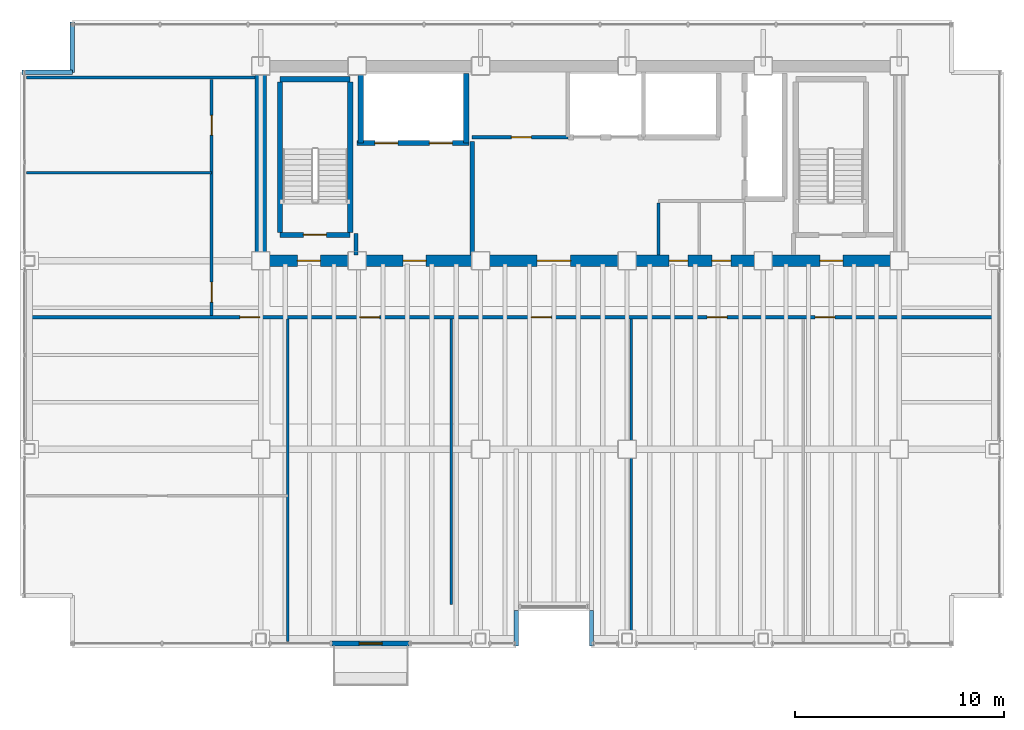
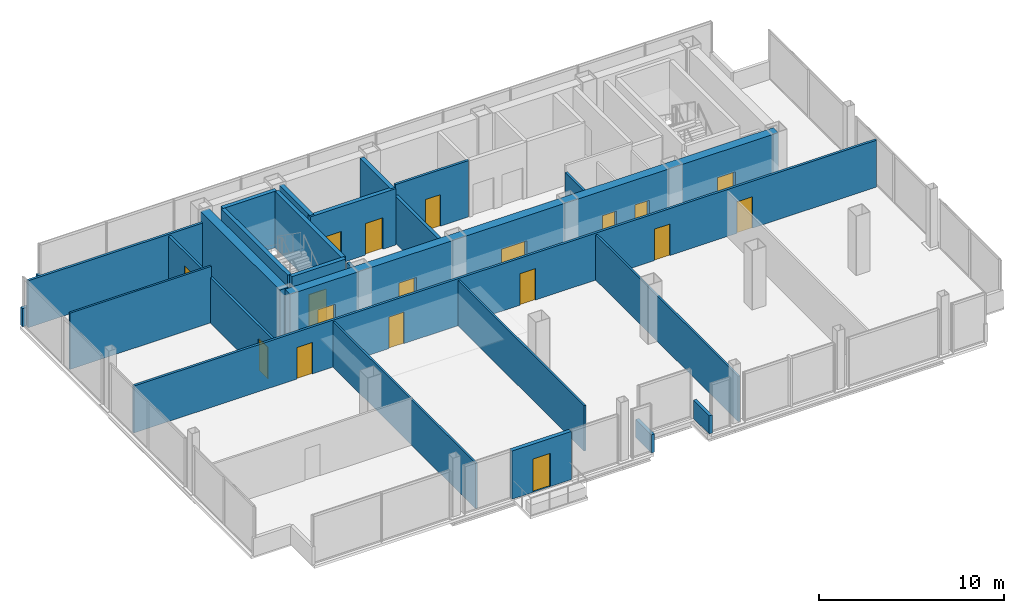
# One storey, part 18 of 20: 25 walls, 18 doors, 18 openings.
"""IFC4 building model written with IfcOpenShell, lengths in metres."""

from ifc_helpers import new_model, si_unit, direction, frame, frame_2d, origin, place, context, subcontext, project, spatial, rectangle, extrude, material, layer, layer_set, type_object, element, fill, save


model = new_model("IFC4")

# Units and contexts
model_context = context("Model", 3, precision=1e-05, world=origin(), true_north=direction((0.0, 1.0)))
body_context = subcontext(model_context, "Body", "Model", "MODEL_VIEW")
ifc_project = project(units=[si_unit("LENGTHUNIT", "METRE"), si_unit("AREAUNIT", "SQUARE_METRE"), si_unit("VOLUMEUNIT", "CUBIC_METRE"), si_unit("PLANEANGLEUNIT", "RADIAN"), si_unit("MASSUNIT", "GRAM", prefix="KILO")], contexts=[model_context])

# Site, building, storey
site_placement = place(None, origin())
site = spatial("IfcSite", under=ifc_project, at=site_placement, CompositionType="ELEMENT")
building_placement = place(site_placement, origin())
building = spatial("IfcBuilding", under=site, at=building_placement, Name="Noeulbin Bourse Tower", CompositionType="ELEMENT")
storey_placement = place(building_placement, frame((0.0, 0.0, 118.800048828125)))
storey = spatial("IfcBuildingStorey", under=building, at=storey_placement, Name="L29", CompositionType="ELEMENT", Elevation=118.800048828125)

# Wall, openings, doors
ifc_material_1 = material(Name="Concrete C60/75", Category="concrete")
ifc_layer_1 = layer(ifc_material_1, 0.550048828125)
ifc_layer_set_1 = layer_set([ifc_layer_1], Name="Concrete C60/75")
wall_type_1 = type_object("IfcWallType", Name="WAL-CORE-550", PredefinedType="SHEAR", material=ifc_layer_set_1)
wall_1_placement = place(storey_placement, frame((13.5, 29.0, 0.0), z_axis=(0.0, 0.0, 1.0), x_axis=(1.0, 0.0, 0.0)))
wall_1 = element("IfcWall", 1, at=wall_1_placement, inside=storey, type_object=wall_type_1, Name="Rear Core South Shear Wall L29", PredefinedType="SHEAR", context=body_context, shape_type="SweptSolid", body=[
    extrude(rectangle(XDim=30.5, YDim=0.550048828125, at=frame_2d((15.25, 0.0))), origin(), (0.0, 0.0, 1.0), 3.719970703125),
])
opening_1_placement = place(wall_1_placement, frame((1.75, 0.0, 0.0)))
opening_1 = element("IfcOpeningElement", 2, at=opening_1_placement, cuts=wall_1, Name="Opening FD-11", PredefinedType="OPENING", context=body_context, shape_type="SweptSolid", body=[
    extrude(rectangle(XDim=1.10009765625, YDim=2.080078125, at=frame_2d((0.550048828125, 1.0400390625))), frame((0.0, 0.284912109375, 0.0), z_axis=(0.0, -1.0, 0.0), x_axis=(1.0, 0.0, 0.0)), (0.0, 0.0, 1.0), 0.570068359375),
])
opening_2_placement = place(wall_1_placement, frame((26.699951171875, 0.0, 0.0)))
opening_2 = element("IfcOpeningElement", 3, at=opening_2_placement, cuts=wall_1, Name="Opening FD-11", PredefinedType="OPENING", context=body_context, shape_type="SweptSolid", body=[
    extrude(rectangle(XDim=1.10009765625, YDim=2.080078125, at=frame_2d((0.550048828125, 1.0400390625))), frame((0.0, 0.284912109375, 0.0), z_axis=(0.0, -1.0, 0.0), x_axis=(1.0, 0.0, 0.0)), (0.0, 0.0, 1.0), 0.570068359375),
])
opening_3_placement = place(wall_1_placement, frame((6.800048828125, 0.0, 0.0)))
opening_3 = element("IfcOpeningElement", 4, at=opening_3_placement, cuts=wall_1, Name="Opening FD-11", PredefinedType="OPENING", context=body_context, shape_type="SweptSolid", body=[
    extrude(rectangle(XDim=1.10009765625, YDim=2.080078125, at=frame_2d((0.550048828125, 1.0400390625))), frame((0.0, 0.284912109375, 0.0), z_axis=(0.0, -1.0, 0.0), x_axis=(1.0, 0.0, 0.0)), (0.0, 0.0, 1.0), 0.570068359375),
])
opening_4_placement = place(wall_1_placement, frame((13.199951171875, 0.0, 0.0)))
opening_4 = element("IfcOpeningElement", 5, at=opening_4_placement, cuts=wall_1, Name="Opening ID-16", PredefinedType="OPENING", context=body_context, shape_type="SweptSolid", body=[
    extrude(rectangle(XDim=1.60009765625, YDim=2.080078125, at=frame_2d((0.800048828125, 1.0400390625))), frame((0.0, 0.284912109375, 0.0), z_axis=(0.0, -1.0, 0.0), x_axis=(1.0, 0.0, 0.0)), (0.0, 0.0, 1.0), 0.570068359375),
])
opening_5_placement = place(wall_1_placement, frame((19.5, 0.0, 0.0)))
opening_5 = element("IfcOpeningElement", 6, at=opening_5_placement, cuts=wall_1, Name="Opening FD-09", PredefinedType="OPENING", context=body_context, shape_type="SweptSolid", body=[
    extrude(rectangle(XDim=0.89990234375, YDim=2.080078125, at=frame_2d((0.449951171875, 1.0400390625))), frame((0.0, 0.284912109375, 0.0), z_axis=(0.0, -1.0, 0.0), x_axis=(1.0, 0.0, 0.0)), (0.0, 0.0, 1.0), 0.570068359375),
])
opening_6_placement = place(wall_1_placement, frame((21.550048828125, 0.0, 0.0)))
opening_6 = element("IfcOpeningElement", 7, at=opening_6_placement, cuts=wall_1, Name="Opening FD-09", PredefinedType="OPENING", context=body_context, shape_type="SweptSolid", body=[
    extrude(rectangle(XDim=0.89990234375, YDim=2.080078125, at=frame_2d((0.449951171875, 1.0400390625))), frame((0.0, 0.284912109375, 0.0), z_axis=(0.0, -1.0, 0.0), x_axis=(1.0, 0.0, 0.0)), (0.0, 0.0, 1.0), 0.570068359375),
])
ifc_material_2 = material(Name="Acoustic Glazed Aluminium", Category="aluminium")
door_type_1 = type_object("IfcDoorType", Name="DR-DBL-1600", OperationType="DOUBLE_DOOR_SINGLE_SWING", PredefinedType="DOOR", material=ifc_material_2)
door_1_placement = place(opening_4_placement, origin())
door_1 = element("IfcDoor", 8, at=door_1_placement, inside=storey, type_object=door_type_1, Name="Passenger Lift Lobby Portal L29", OperationType="DOUBLE_DOOR_SINGLE_SWING", OverallHeight=2.080078125, OverallWidth=1.60009765625, PredefinedType="DOOR", context=body_context, shape_type="SweptSolid", body=[
    extrude(rectangle(XDim=1.60009765625, YDim=2.080078125, at=frame_2d((0.800048828125, 1.0400390625))), frame((0.0, 0.02490234375, 0.0), z_axis=(0.0, -1.0, 0.0), x_axis=(1.0, 0.0, 0.0)), (0.0, 0.0, 1.0), 0.050048828125),
])
fill(opening_4, door_1)
ifc_material_3 = material(Name="Fire-Rated Timber Core", Category="wood")
door_type_2 = type_object("IfcDoorType", Name="DR-FD30-900", OperationType="SINGLE_SWING_RIGHT", PredefinedType="DOOR", material=ifc_material_3)
door_2_placement = place(opening_5_placement, origin())
door_2 = element("IfcDoor", 9, at=door_2_placement, inside=storey, type_object=door_type_2, Name="Interior Door L29-06", OperationType="SINGLE_SWING_LEFT", OverallHeight=2.080078125, OverallWidth=0.89990234375, PredefinedType="DOOR", context=body_context, shape_type="SweptSolid", body=[
    extrude(rectangle(XDim=0.89990234375, YDim=2.080078125, at=frame_2d((0.449951171875, 1.0400390625))), frame((0.0, 0.02490234375, 0.0), z_axis=(0.0, -1.0, 0.0), x_axis=(1.0, 0.0, 0.0)), (0.0, 0.0, 1.0), 0.050048828125),
])
fill(opening_5, door_2)
door_3_placement = place(opening_6_placement, origin())
door_3 = element("IfcDoor", 10, at=door_3_placement, inside=storey, type_object=door_type_2, Name="Interior Door L29-07", OperationType="SINGLE_SWING_RIGHT", OverallHeight=2.080078125, OverallWidth=0.89990234375, PredefinedType="DOOR", context=body_context, shape_type="SweptSolid", body=[
    extrude(rectangle(XDim=0.89990234375, YDim=2.080078125, at=frame_2d((0.449951171875, 1.0400390625))), frame((0.0, 0.02490234375, 0.0), z_axis=(0.0, -1.0, 0.0), x_axis=(1.0, 0.0, 0.0)), (0.0, 0.0, 1.0), 0.050048828125),
])
fill(opening_6, door_3)
ifc_material_4 = material(Name="Fire-Rated Insulated Steel", Category="steel")
door_type_3 = type_object("IfcDoorType", Name="DR-FD60-1100", OperationType="SINGLE_SWING_LEFT", PredefinedType="DOOR", material=ifc_material_4)
door_4_placement = place(opening_1_placement, origin())
door_4 = element("IfcDoor", 11, at=door_4_placement, inside=storey, type_object=door_type_3, Name="West Stair Lobby Door L29", OperationType="SINGLE_SWING_RIGHT", OverallHeight=2.080078125, OverallWidth=1.10009765625, PredefinedType="DOOR", context=body_context, shape_type="SweptSolid", body=[
    extrude(rectangle(XDim=1.10009765625, YDim=2.080078125, at=frame_2d((0.550048828125, 1.0400390625))), frame((0.0, 0.02490234375, 0.0), z_axis=(0.0, -1.0, 0.0), x_axis=(1.0, 0.0, 0.0)), (0.0, 0.0, 1.0), 0.050048828125),
])
fill(opening_1, door_4)
door_5_placement = place(opening_2_placement, origin())
door_5 = element("IfcDoor", 12, at=door_5_placement, inside=storey, type_object=door_type_3, Name="East Stair Lobby Door L29", OperationType="SINGLE_SWING_LEFT", OverallHeight=2.080078125, OverallWidth=1.10009765625, PredefinedType="DOOR", context=body_context, shape_type="SweptSolid", body=[
    extrude(rectangle(XDim=1.10009765625, YDim=2.080078125, at=frame_2d((0.550048828125, 1.0400390625))), frame((0.0, 0.02490234375, 0.0), z_axis=(0.0, -1.0, 0.0), x_axis=(1.0, 0.0, 0.0)), (0.0, 0.0, 1.0), 0.050048828125),
])
fill(opening_2, door_5)
door_6_placement = place(opening_3_placement, origin())
door_6 = element("IfcDoor", 13, at=door_6_placement, inside=storey, type_object=door_type_3, Name="Firefighting Lobby Door L29", OperationType="SINGLE_SWING_RIGHT", OverallHeight=2.080078125, OverallWidth=1.10009765625, PredefinedType="DOOR", context=body_context, shape_type="SweptSolid", body=[
    extrude(rectangle(XDim=1.10009765625, YDim=2.080078125, at=frame_2d((0.550048828125, 1.0400390625))), frame((0.0, 0.02490234375, 0.0), z_axis=(0.0, -1.0, 0.0), x_axis=(1.0, 0.0, 0.0)), (0.0, 0.0, 1.0), 0.050048828125),
])
fill(opening_3, door_6)

# Wall
wall_2_placement = place(storey_placement, frame((13.5, 29.35009765625, 0.0), z_axis=(0.0, 0.0, 1.0), x_axis=(0.0, 1.0, 0.0)))
element("IfcWall", 14, at=wall_2_placement, inside=storey, type_object=wall_type_1, Name="Rear Core West Shear Wall L29", PredefinedType="SHEAR", context=body_context, shape_type="SweptSolid", body=[
    extrude(rectangle(XDim=8.599853515625, YDim=0.550048828125, at=frame_2d((4.2998046875, 0.0))), origin(), (0.0, 0.0, 1.0), 3.719970703125),
])

# Wall, opening, door
ifc_material_5 = material(Name="Precast Concrete C40/50", Category="concrete")
ifc_layer_2 = layer(ifc_material_5, 0.25)
ifc_layer_set_2 = layer_set([ifc_layer_2], Name="Precast Concrete C40/50")
wall_type_2 = type_object("IfcWallType", Name="WAL-EXT-250", PredefinedType="STANDARD", material=ifc_layer_set_2)
wall_3_placement = place(storey_placement, frame((16.89990234375, 10.719970703125, 0.0), z_axis=(0.0, 0.0, 1.0), x_axis=(1.0, 0.0, 0.0)))
wall_3 = element("IfcWall", 15, at=wall_3_placement, inside=storey, type_object=wall_type_2, Name="Balcony Threshold Wall L29", PredefinedType="STANDARD", context=body_context, shape_type="SweptSolid", body=[
    extrude(rectangle(XDim=3.7001953125, YDim=0.25, at=frame_2d((1.85009765625, 0.0))), origin(), (0.0, 0.0, 1.0), 3.179931640625),
])
opening_7_placement = place(wall_3_placement, frame((1.300048828125, 0.0, 0.0)))
opening_7 = element("IfcOpeningElement", 16, at=opening_7_placement, cuts=wall_3, Name="Opening BD-11", PredefinedType="OPENING", context=body_context, shape_type="SweptSolid", body=[
    extrude(rectangle(XDim=1.10009765625, YDim=2.199951171875, at=frame_2d((0.550048828125, 1.10009765625))), frame((0.0, 0.135009765625, 0.0), z_axis=(0.0, -1.0, 0.0), x_axis=(1.0, 0.0, 0.0)), (0.0, 0.0, 1.0), 0.27001953125),
])
ifc_material_6 = material(Name="Thermally Broken Aluminium Framed Glass", Category="aluminium")
door_type_4 = type_object("IfcDoorType", Name="DR-BAL-1100", OperationType="SINGLE_SWING_LEFT", PredefinedType="DOOR", material=ifc_material_6)
door_7_placement = place(opening_7_placement, origin())
door_7 = element("IfcDoor", 17, at=door_7_placement, inside=storey, type_object=door_type_4, Name="Tree-Balcony Access Door BD-L29", OperationType="SINGLE_SWING_LEFT", OverallHeight=2.199951171875, OverallWidth=1.10009765625, PredefinedType="DOOR", context=body_context, shape_type="SweptSolid", body=[
    extrude(rectangle(XDim=1.10009765625, YDim=2.199951171875, at=frame_2d((0.550048828125, 1.10009765625))), frame((0.0, 0.02490234375, 0.0), z_axis=(0.0, -1.0, 0.0), x_axis=(1.0, 0.0, 0.0)), (0.0, 0.0, 1.0), 0.050048828125),
])
fill(opening_7, door_7)

# Walls
ifc_material_7 = material(Name="Concrete C40/50", Category="concrete")
ifc_layer_3 = layer(ifc_material_7, 0.199951171875)
ifc_layer_set_3 = layer_set([ifc_layer_3], Name="Concrete C40/50")
wall_type_3 = type_object("IfcWallType", Name="WAL-FIRE-200", PredefinedType="STANDARD", material=ifc_layer_set_3)
wall_4_placement = place(storey_placement, frame((18.050048828125, 29.284912109375, 0.0), z_axis=(0.0, 0.0, 1.0), x_axis=(0.0, 1.0, 0.0)))
element("IfcWall", 18, at=wall_4_placement, inside=storey, type_object=wall_type_3, Name="Interior Partition Wall L29-08", PredefinedType="STANDARD", context=body_context, shape_type="SweptSolid", body=[
    extrude(rectangle(XDim=1.01513671875, YDim=0.199951171875, at=frame_2d((0.507568359375, 0.0))), origin(), (0.0, 0.0, 1.0), 3.300048828125),
])
wall_5_placement = place(storey_placement, frame((23.60009765625, 29.284912109375, 0.0), z_axis=(0.0, 0.0, 1.0), x_axis=(0.0, 1.0, 0.0)))
element("IfcWall", 19, at=wall_5_placement, inside=storey, type_object=wall_type_3, Name="Interior Partition Wall L29-10", PredefinedType="STANDARD", context=body_context, shape_type="SweptSolid", body=[
    extrude(rectangle(XDim=5.4150390625, YDim=0.199951171875, at=frame_2d((2.70751953125, 0.0))), origin(), (0.0, 0.0, 1.0), 3.099853515625),
])
ifc_layer_4 = layer(ifc_material_7, 0.199951171875)
ifc_layer_set_4 = layer_set([ifc_layer_4], Name="Concrete C40/50")
wall_type_4 = type_object("IfcWallType", Name="WAL-PAR-200", PredefinedType="PARAPET", material=ifc_layer_set_4)
for number, where, z_axis, x_axis, name in (
    (20, (2.10009765625, 38.0, 0.0), (0.0, 0.0, 1.0), (1.0, 0.0, 0.0), "Corner Notch Parapet L29-NW1"),
    (21, (4.5, 38.0, 0.0), (0.0, 0.0, 1.0), (0.0, 1.0, 0.0), "Corner Notch Parapet L29-NW2"),
):
    element("IfcWall", number, at=place(storey_placement, frame(where, z_axis=z_axis, x_axis=x_axis)), inside=storey, type_object=wall_type_4, Name=name, PredefinedType="PARAPET", context=body_context, shape_type="SweptSolid", body=[
        extrude(rectangle(XDim=2.39990234375, YDim=0.199951171875, at=frame_2d((1.199951171875, 0.0))), origin(), (0.0, 0.0, 1.0), 1.199951171875),
    ])
for number, where, z_axis, x_axis, name in (
    (22, (25.699951171875, 10.60009765625, 0.0), (0.0, 0.0, 1.0), (0.0, 1.0, 0.0), "Sky-Garden Recess Parapet L29-W"),
    (23, (29.300048828125, 12.300048828125, 0.0), (0.0, 0.0, 1.0), (0.0, -1.0, 0.0), "Sky-Garden Recess Parapet L29-E"),
):
    element("IfcWall", number, at=place(storey_placement, frame(where, z_axis=z_axis, x_axis=x_axis)), inside=storey, type_object=wall_type_4, Name=name, PredefinedType="PARAPET", context=body_context, shape_type="SweptSolid", body=[
        extrude(rectangle(XDim=1.699951171875, YDim=0.199951171875, at=frame_2d((0.85009765625, 0.0))), origin(), (0.0, 0.0, 1.0), 1.199951171875),
    ])
ifc_material_8 = material(Name="Steel Stud Gypsum Partition", Category="steel")
ifc_layer_5 = layer(ifc_material_8, 0.1201171875)
ifc_layer_set_5 = layer_set([ifc_layer_5], Name="Steel Stud Gypsum Partition")
wall_type_5 = type_object("IfcWallType", Name="WAL-PRT-120", PredefinedType="PARTITIONING", material=ifc_layer_set_5)
wall_6_placement = place(storey_placement, frame((2.31005859375, 33.199951171875, 0.0), z_axis=(0.0, 0.0, 1.0), x_axis=(1.0, 0.0, 0.0)))
element("IfcWall", 24, at=wall_6_placement, inside=storey, type_object=wall_type_5, Name="Interior Partition Wall L29-07", PredefinedType="PARTITIONING", context=body_context, shape_type="SweptSolid", body=[
    extrude(rectangle(XDim=8.83984375, YDim=0.1201171875, at=frame_2d((4.419921875, 0.0))), origin(), (0.0, 0.0, 1.0), 3.719970703125),
])
wall_7_placement = place(storey_placement, frame((14.800048828125, 10.81005859375, 0.0), z_axis=(0.0, 0.0, 1.0), x_axis=(0.0, 1.0, 0.0)))
element("IfcWall", 25, at=wall_7_placement, inside=storey, type_object=wall_type_5, Name="Interior Partition Wall L29-15", PredefinedType="PARTITIONING", context=body_context, shape_type="SweptSolid", body=[
    extrude(rectangle(XDim=15.405029296875, YDim=0.1201171875, at=frame_2d((7.70263671875, 0.0))), origin(), (0.0, 0.0, 1.0), 3.0),
])
wall_8_placement = place(storey_placement, frame((22.60009765625, 12.570068359375, 0.0), z_axis=(0.0, 0.0, 1.0), x_axis=(0.0, 1.0, 0.0)))
element("IfcWall", 26, at=wall_8_placement, inside=storey, type_object=wall_type_5, Name="Interior Partition Wall L29-16", PredefinedType="PARTITIONING", context=body_context, shape_type="SweptSolid", body=[
    extrude(rectangle(XDim=13.64501953125, YDim=0.1201171875, at=frame_2d((6.822509765625, 0.0))), origin(), (0.0, 0.0, 1.0), 3.0),
])
wall_9_placement = place(storey_placement, frame((31.199951171875, 10.81005859375, 0.0), z_axis=(0.0, 0.0, 1.0), x_axis=(0.0, 1.0, 0.0)))
element("IfcWall", 27, at=wall_9_placement, inside=storey, type_object=wall_type_5, Name="Interior Partition Wall L29-17", PredefinedType="PARTITIONING", context=body_context, shape_type="SweptSolid", body=[
    extrude(rectangle(XDim=15.405029296875, YDim=0.1201171875, at=frame_2d((7.70263671875, 0.0))), origin(), (0.0, 0.0, 1.0), 3.0),
])

# Wall, opening, door
ifc_material_9 = material(Name="Steel Stud Acoustic Gypsum Board", Category="steel")
ifc_layer_6 = layer(ifc_material_9, 0.14990234375)
ifc_layer_set_6 = layer_set([ifc_layer_6], Name="Steel Stud Acoustic Gypsum Board")
wall_type_6 = type_object("IfcWallType", Name="WAL-PRT-150", PredefinedType="PARTITIONING", material=ifc_layer_set_6)
wall_10_placement = place(storey_placement, frame((23.60009765625, 34.89990234375, 0.0), z_axis=(0.0, 0.0, 1.0), x_axis=(1.0, 0.0, 0.0)))
wall_10 = element("IfcWall", 28, at=wall_10_placement, inside=storey, type_object=wall_type_6, Name="Interior Partition Wall L29-02", PredefinedType="PARTITIONING", context=body_context, shape_type="SweptSolid", body=[
    extrude(rectangle(XDim=4.579833984375, YDim=0.14990234375, at=frame_2d((2.2900390625, 0.0))), origin(), (0.0, 0.0, 1.0), 3.719970703125),
])
opening_8_placement = place(wall_10_placement, frame((1.875, 0.0, 0.0)))
opening_8 = element("IfcOpeningElement", 29, at=opening_8_placement, cuts=wall_10, Name="Opening ID-09", PredefinedType="OPENING", context=body_context, shape_type="SweptSolid", body=[
    extrude(rectangle(XDim=0.949951171875, YDim=2.080078125, at=frame_2d((0.47509765625, 1.0400390625))), frame((0.0, 0.0849609375, 0.0), z_axis=(0.0, -1.0, 0.0), x_axis=(1.0, 0.0, 0.0)), (0.0, 0.0, 1.0), 0.169921875),
])
ifc_material_10 = material(Name="Acoustic Solid-Core Timber", Category="wood")
door_type_5 = type_object("IfcDoorType", Name="DR-SINGLE-950", OperationType="SINGLE_SWING_LEFT", PredefinedType="DOOR", material=ifc_material_10)
door_8_placement = place(opening_8_placement, origin())
door_8 = element("IfcDoor", 30, at=door_8_placement, inside=storey, type_object=door_type_5, Name="Archive Room Door L29", OperationType="SINGLE_SWING_RIGHT", OverallHeight=2.080078125, OverallWidth=0.949951171875, PredefinedType="DOOR", context=body_context, shape_type="SweptSolid", body=[
    extrude(rectangle(XDim=0.949951171875, YDim=2.080078125, at=frame_2d((0.47509765625, 1.0400390625))), frame((0.0, 0.02490234375, 0.0), z_axis=(0.0, -1.0, 0.0), x_axis=(1.0, 0.0, 0.0)), (0.0, 0.0, 1.0), 0.050048828125),
])
fill(opening_8, door_8)

# Wall, openings, doors
wall_11_placement = place(storey_placement, frame((2.31005859375, 26.300048828125, 0.0), z_axis=(0.0, 0.0, 1.0), x_axis=(1.0, 0.0, 0.0)))
wall_11 = element("IfcWall", 31, at=wall_11_placement, inside=storey, type_object=wall_type_6, Name="Interior Partition Wall L29-04", PredefinedType="PARTITIONING", context=body_context, shape_type="SweptSolid", body=[
    extrude(rectangle(XDim=46.3798828125, YDim=0.14990234375, at=frame_2d((23.18994140625, 0.0))), origin(), (0.0, 0.0, 1.0), 3.099853515625),
])
opening_9_placement = place(wall_11_placement, frame((10.18994140625, 0.0, 0.0)))
opening_9 = element("IfcOpeningElement", 32, at=opening_9_placement, cuts=wall_11, Name="Opening ID-09", PredefinedType="OPENING", context=body_context, shape_type="SweptSolid", body=[
    extrude(rectangle(XDim=0.949951171875, YDim=2.080078125, at=frame_2d((0.47509765625, 1.0400390625))), frame((0.0, 0.0849609375, 0.0), z_axis=(0.0, -1.0, 0.0), x_axis=(1.0, 0.0, 0.0)), (0.0, 0.0, 1.0), 0.169921875),
])
opening_10_placement = place(wall_11_placement, frame((15.9150390625, 0.0, 0.0)))
opening_10 = element("IfcOpeningElement", 33, at=opening_10_placement, cuts=wall_11, Name="Opening ID-09", PredefinedType="OPENING", context=body_context, shape_type="SweptSolid", body=[
    extrude(rectangle(XDim=0.949951171875, YDim=2.080078125, at=frame_2d((0.47509765625, 1.0400390625))), frame((0.0, 0.0849609375, 0.0), z_axis=(0.0, -1.0, 0.0), x_axis=(1.0, 0.0, 0.0)), (0.0, 0.0, 1.0), 0.169921875),
])
opening_11_placement = place(wall_11_placement, frame((24.114990234375, 0.0, 0.0)))
opening_11 = element("IfcOpeningElement", 34, at=opening_11_placement, cuts=wall_11, Name="Opening ID-09", PredefinedType="OPENING", context=body_context, shape_type="SweptSolid", body=[
    extrude(rectangle(XDim=0.949951171875, YDim=2.080078125, at=frame_2d((0.47509765625, 1.0400390625))), frame((0.0, 0.0849609375, 0.0), z_axis=(0.0, -1.0, 0.0), x_axis=(1.0, 0.0, 0.0)), (0.0, 0.0, 1.0), 0.169921875),
])
opening_12_placement = place(wall_11_placement, frame((32.514892578125, 0.0, 0.0)))
opening_12 = element("IfcOpeningElement", 35, at=opening_12_placement, cuts=wall_11, Name="Opening ID-09", PredefinedType="OPENING", context=body_context, shape_type="SweptSolid", body=[
    extrude(rectangle(XDim=0.949951171875, YDim=2.080078125, at=frame_2d((0.47509765625, 1.0400390625))), frame((0.0, 0.0849609375, 0.0), z_axis=(0.0, -1.0, 0.0), x_axis=(1.0, 0.0, 0.0)), (0.0, 0.0, 1.0), 0.169921875),
])
opening_13_placement = place(wall_11_placement, frame((37.6650390625, 0.0, 0.0)))
opening_13 = element("IfcOpeningElement", 36, at=opening_13_placement, cuts=wall_11, Name="Opening ID-09", PredefinedType="OPENING", context=body_context, shape_type="SweptSolid", body=[
    extrude(rectangle(XDim=0.949951171875, YDim=2.080078125, at=frame_2d((0.47509765625, 1.0400390625))), frame((0.0, 0.0849609375, 0.0), z_axis=(0.0, -1.0, 0.0), x_axis=(1.0, 0.0, 0.0)), (0.0, 0.0, 1.0), 0.169921875),
])
door_9_placement = place(opening_9_placement, origin())
door_9 = element("IfcDoor", 37, at=door_9_placement, inside=storey, type_object=door_type_5, Name="Interior Door L29-09", OperationType="SINGLE_SWING_RIGHT", OverallHeight=2.080078125, OverallWidth=0.949951171875, PredefinedType="DOOR", context=body_context, shape_type="SweptSolid", body=[
    extrude(rectangle(XDim=0.949951171875, YDim=2.080078125, at=frame_2d((0.47509765625, 1.0400390625))), frame((0.0, 0.02490234375, 0.0), z_axis=(0.0, -1.0, 0.0), x_axis=(1.0, 0.0, 0.0)), (0.0, 0.0, 1.0), 0.050048828125),
])
fill(opening_9, door_9)
door_10_placement = place(opening_10_placement, origin())
door_10 = element("IfcDoor", 38, at=door_10_placement, inside=storey, type_object=door_type_5, Name="Interior Door L29-10", OperationType="SINGLE_SWING_LEFT", OverallHeight=2.080078125, OverallWidth=0.949951171875, PredefinedType="DOOR", context=body_context, shape_type="SweptSolid", body=[
    extrude(rectangle(XDim=0.949951171875, YDim=2.080078125, at=frame_2d((0.47509765625, 1.0400390625))), frame((0.0, 0.02490234375, 0.0), z_axis=(0.0, -1.0, 0.0), x_axis=(1.0, 0.0, 0.0)), (0.0, 0.0, 1.0), 0.050048828125),
])
fill(opening_10, door_10)
door_11_placement = place(opening_11_placement, origin())
door_11 = element("IfcDoor", 39, at=door_11_placement, inside=storey, type_object=door_type_5, Name="Interior Door L29-11", OperationType="SINGLE_SWING_RIGHT", OverallHeight=2.080078125, OverallWidth=0.949951171875, PredefinedType="DOOR", context=body_context, shape_type="SweptSolid", body=[
    extrude(rectangle(XDim=0.949951171875, YDim=2.080078125, at=frame_2d((0.47509765625, 1.0400390625))), frame((0.0, 0.02490234375, 0.0), z_axis=(0.0, -1.0, 0.0), x_axis=(1.0, 0.0, 0.0)), (0.0, 0.0, 1.0), 0.050048828125),
])
fill(opening_11, door_11)
door_12_placement = place(opening_12_placement, origin())
door_12 = element("IfcDoor", 40, at=door_12_placement, inside=storey, type_object=door_type_5, Name="Interior Door L29-12", OperationType="SINGLE_SWING_LEFT", OverallHeight=2.080078125, OverallWidth=0.949951171875, PredefinedType="DOOR", context=body_context, shape_type="SweptSolid", body=[
    extrude(rectangle(XDim=0.949951171875, YDim=2.080078125, at=frame_2d((0.47509765625, 1.0400390625))), frame((0.0, 0.02490234375, 0.0), z_axis=(0.0, -1.0, 0.0), x_axis=(1.0, 0.0, 0.0)), (0.0, 0.0, 1.0), 0.050048828125),
])
fill(opening_12, door_12)
door_13_placement = place(opening_13_placement, origin())
door_13 = element("IfcDoor", 41, at=door_13_placement, inside=storey, type_object=door_type_5, Name="Interior Door L29-13", OperationType="SINGLE_SWING_RIGHT", OverallHeight=2.080078125, OverallWidth=0.949951171875, PredefinedType="DOOR", context=body_context, shape_type="SweptSolid", body=[
    extrude(rectangle(XDim=0.949951171875, YDim=2.080078125, at=frame_2d((0.47509765625, 1.0400390625))), frame((0.0, 0.02490234375, 0.0), z_axis=(0.0, -1.0, 0.0), x_axis=(1.0, 0.0, 0.0)), (0.0, 0.0, 1.0), 0.050048828125),
])
fill(opening_13, door_13)

# Walls
wall_12_placement = place(storey_placement, frame((2.31005859375, 37.75, 0.0), z_axis=(0.0, 0.0, 1.0), x_axis=(1.0, 0.0, 0.0)))
element("IfcWall", 42, at=wall_12_placement, inside=storey, type_object=wall_type_6, Name="Interior Partition Wall L29-05", PredefinedType="PARTITIONING", context=body_context, shape_type="SweptSolid", body=[
    extrude(rectangle(XDim=10.905029296875, YDim=0.14990234375, at=frame_2d((5.45263671875, 0.0))), origin(), (0.0, 0.0, 1.0), 3.099853515625),
])
wall_13_placement = place(storey_placement, frame((32.5, 29.284912109375, 0.0), z_axis=(0.0, 0.0, 1.0), x_axis=(0.0, 1.0, 0.0)))
element("IfcWall", 43, at=wall_13_placement, inside=storey, type_object=wall_type_6, Name="Interior Partition Wall L29-11", PredefinedType="PARTITIONING", context=body_context, shape_type="SweptSolid", body=[
    extrude(rectangle(XDim=2.47998046875, YDim=0.14990234375, at=frame_2d((1.239990234375, 0.0))), origin(), (0.0, 0.0, 1.0), 3.300048828125),
])

# Wall, openings, doors
wall_14_placement = place(storey_placement, frame((11.14990234375, 26.385009765625, 0.0), z_axis=(0.0, 0.0, 1.0), x_axis=(0.0, 1.0, 0.0)))
wall_14 = element("IfcWall", 44, at=wall_14_placement, inside=storey, type_object=wall_type_6, Name="Interior Partition Wall L29-14", PredefinedType="PARTITIONING", context=body_context, shape_type="SweptSolid", body=[
    extrude(rectangle(XDim=11.280029296875, YDim=0.14990234375, at=frame_2d((5.64013671875, 0.0))), origin(), (0.0, 0.0, 1.0), 3.0),
])
opening_14_placement = place(wall_14_placement, frame((0.639892578125, 0.0, 0.0)))
opening_14 = element("IfcOpeningElement", 45, at=opening_14_placement, cuts=wall_14, Name="Opening ID-09", PredefinedType="OPENING", context=body_context, shape_type="SweptSolid", body=[
    extrude(rectangle(XDim=0.949951171875, YDim=2.080078125, at=frame_2d((0.47509765625, 1.0400390625))), frame((0.0, 0.0849609375, 0.0), z_axis=(0.0, -1.0, 0.0), x_axis=(1.0, 0.0, 0.0)), (0.0, 0.0, 1.0), 0.169921875),
])
opening_15_placement = place(wall_14_placement, frame((8.614990234375, 0.0, 0.0)))
opening_15 = element("IfcOpeningElement", 46, at=opening_15_placement, cuts=wall_14, Name="Opening ID-09", PredefinedType="OPENING", context=body_context, shape_type="SweptSolid", body=[
    extrude(rectangle(XDim=0.949951171875, YDim=2.080078125, at=frame_2d((0.47509765625, 1.0400390625))), frame((0.0, 0.0849609375, 0.0), z_axis=(0.0, -1.0, 0.0), x_axis=(1.0, 0.0, 0.0)), (0.0, 0.0, 1.0), 0.169921875),
])
door_14_placement = place(opening_14_placement, origin())
door_14 = element("IfcDoor", 47, at=door_14_placement, inside=storey, type_object=door_type_5, Name="Interior Door L29-14", OperationType="SINGLE_SWING_LEFT", OverallHeight=2.080078125, OverallWidth=0.949951171875, PredefinedType="DOOR", context=body_context, shape_type="SweptSolid", body=[
    extrude(rectangle(XDim=0.949951171875, YDim=2.080078125, at=frame_2d((0.47509765625, 1.0400390625))), frame((0.0, 0.02490234375, 0.0), z_axis=(0.0, -1.0, 0.0), x_axis=(1.0, 0.0, 0.0)), (0.0, 0.0, 1.0), 0.050048828125),
])
fill(opening_14, door_14)
door_15_placement = place(opening_15_placement, origin())
door_15 = element("IfcDoor", 48, at=door_15_placement, inside=storey, type_object=door_type_5, Name="Interior Door L29-15", OperationType="SINGLE_SWING_RIGHT", OverallHeight=2.080078125, OverallWidth=0.949951171875, PredefinedType="DOOR", context=body_context, shape_type="SweptSolid", body=[
    extrude(rectangle(XDim=0.949951171875, YDim=2.080078125, at=frame_2d((0.47509765625, 1.0400390625))), frame((0.0, 0.02490234375, 0.0), z_axis=(0.0, -1.0, 0.0), x_axis=(1.0, 0.0, 0.0)), (0.0, 0.0, 1.0), 0.050048828125),
])
fill(opening_15, door_15)

# Wall, opening, door
ifc_layer_7 = layer(ifc_material_7, 0.25)
ifc_layer_set_7 = layer_set([ifc_layer_7], Name="Concrete C40/50")
wall_type_7 = type_object("IfcWallType", Name="WAL-SHFT-250", PredefinedType="STANDARD", material=ifc_layer_set_7)
wall_15_placement = place(storey_placement, frame((14.429931640625, 30.235107421875, 0.0), z_axis=(0.0, 0.0, 1.0), x_axis=(1.0, 0.0, 0.0)))
wall_15 = element("IfcWall", 49, at=wall_15_placement, inside=storey, type_object=wall_type_7, Name="Stair ST-1 South Shaft Wall L29", PredefinedType="STANDARD", context=body_context, shape_type="SweptSolid", body=[
    extrude(rectangle(XDim=3.340087890625, YDim=0.25, at=frame_2d((1.669921875, 0.0))), origin(), (0.0, 0.0, 1.0), 3.719970703125),
])
opening_16_placement = place(wall_15_placement, frame((1.10009765625, 0.0, 0.0)))
opening_16 = element("IfcOpeningElement", 50, at=opening_16_placement, cuts=wall_15, Name="Opening FD-11", PredefinedType="OPENING", context=body_context, shape_type="SweptSolid", body=[
    extrude(rectangle(XDim=1.10009765625, YDim=2.080078125, at=frame_2d((0.550048828125, 1.0400390625))), frame((0.0, 0.135009765625, 0.0), z_axis=(0.0, -1.0, 0.0), x_axis=(1.0, 0.0, 0.0)), (0.0, 0.0, 1.0), 0.27001953125),
])
door_16_placement = place(opening_16_placement, origin())
door_16 = element("IfcDoor", 51, at=door_16_placement, inside=storey, type_object=door_type_3, Name="Protected Stair Entry Door ST1-L29", OperationType="SINGLE_SWING_RIGHT", OverallHeight=2.080078125, OverallWidth=1.10009765625, PredefinedType="DOOR", context=body_context, shape_type="SweptSolid", body=[
    extrude(rectangle(XDim=1.10009765625, YDim=2.080078125, at=frame_2d((0.550048828125, 1.0400390625))), frame((0.0, 0.02490234375, 0.0), z_axis=(0.0, -1.0, 0.0), x_axis=(1.0, 0.0, 0.0)), (0.0, 0.0, 1.0), 0.050048828125),
])
fill(opening_16, door_16)

# Walls
wall_16_placement = place(storey_placement, frame((14.429931640625, 37.6689453125, 0.0), z_axis=(0.0, 0.0, 1.0), x_axis=(1.0, 0.0, 0.0)))
element("IfcWall", 52, at=wall_16_placement, inside=storey, type_object=wall_type_7, Name="Stair ST-1 North Shaft Wall L29", PredefinedType="STANDARD", context=body_context, shape_type="SweptSolid", body=[
    extrude(rectangle(XDim=3.340087890625, YDim=0.25, at=frame_2d((1.669921875, 0.0))), origin(), (0.0, 0.0, 1.0), 3.719970703125),
])
for number, where, z_axis, x_axis, name in (
    (53, (14.425048828125, 30.360107421875, 0.0), (0.0, 0.0, 1.0), (0.0, 1.0, 0.0), "Stair ST-1 West Shaft Wall L29"),
    (54, (17.77490234375, 30.360107421875, 0.0), (0.0, 0.0, 1.0), (0.0, 1.0, 0.0), "Stair ST-1 East Shaft Wall L29"),
):
    element("IfcWall", number, at=place(storey_placement, frame(where, z_axis=z_axis, x_axis=x_axis)), inside=storey, type_object=wall_type_7, Name=name, PredefinedType="STANDARD", context=body_context, shape_type="SweptSolid", body=[
        extrude(rectangle(XDim=7.183837890625, YDim=0.25, at=frame_2d((3.591796875, 0.0))), origin(), (0.0, 0.0, 1.0), 3.719970703125),
    ])

# Wall, openings, doors
wall_17_placement = place(storey_placement, frame((18.10009765625, 34.6201171875, 0.0), z_axis=(0.0, 0.0, 1.0), x_axis=(1.0, 0.0, 0.0)))
wall_17 = element("IfcWall", 55, at=wall_17_placement, inside=storey, type_object=wall_type_7, Name="Firefighting Lift Shaft Front L29", PredefinedType="STANDARD", context=body_context, shape_type="SweptSolid", body=[
    extrude(rectangle(XDim=5.349853515625, YDim=0.25, at=frame_2d((2.6748046875, 0.0))), origin(), (0.0, 0.0, 1.0), 3.719970703125),
])
opening_17_placement = place(wall_17_placement, frame((0.85009765625, 0.0, 0.0)))
opening_17 = element("IfcOpeningElement", 56, at=opening_17_placement, cuts=wall_17, Name="Opening LD-11", PredefinedType="OPENING", context=body_context, shape_type="SweptSolid", body=[
    extrude(rectangle(XDim=1.10009765625, YDim=2.080078125, at=frame_2d((0.550048828125, 1.0400390625))), frame((0.0, 0.135009765625, 0.0), z_axis=(0.0, -1.0, 0.0), x_axis=(1.0, 0.0, 0.0)), (0.0, 0.0, 1.0), 0.27001953125),
])
opening_18_placement = place(wall_17_placement, frame((3.449951171875, 0.0, 0.0)))
opening_18 = element("IfcOpeningElement", 57, at=opening_18_placement, cuts=wall_17, Name="Opening LD-11", PredefinedType="OPENING", context=body_context, shape_type="SweptSolid", body=[
    extrude(rectangle(XDim=1.10009765625, YDim=2.080078125, at=frame_2d((0.550048828125, 1.0400390625))), frame((0.0, 0.135009765625, 0.0), z_axis=(0.0, -1.0, 0.0), x_axis=(1.0, 0.0, 0.0)), (0.0, 0.0, 1.0), 0.27001953125),
])
ifc_material_11 = material(Name="Brushed Stainless Steel 316", Category="steel")
door_type_6 = type_object("IfcDoorType", Name="DR-LIFT-1100", OperationType="SLIDING_TO_LEFT", PredefinedType="DOOR", material=ifc_material_11)
door_17_placement = place(opening_17_placement, origin())
door_17 = element("IfcDoor", 58, at=door_17_placement, inside=storey, type_object=door_type_6, Name="Lift Landing Door LD-FL-01-L29", OperationType="SLIDING_TO_LEFT", OverallHeight=2.080078125, OverallWidth=1.10009765625, PredefinedType="DOOR", context=body_context, shape_type="SweptSolid", body=[
    extrude(rectangle(XDim=1.10009765625, YDim=2.080078125, at=frame_2d((0.550048828125, 1.0400390625))), frame((0.0, 0.02490234375, 0.0), z_axis=(0.0, -1.0, 0.0), x_axis=(1.0, 0.0, 0.0)), (0.0, 0.0, 1.0), 0.050048828125),
])
fill(opening_17, door_17)
door_18_placement = place(opening_18_placement, origin())
door_18 = element("IfcDoor", 59, at=door_18_placement, inside=storey, type_object=door_type_6, Name="Lift Landing Door LD-FL-02-L29", OperationType="SLIDING_TO_LEFT", OverallHeight=2.080078125, OverallWidth=1.10009765625, PredefinedType="DOOR", context=body_context, shape_type="SweptSolid", body=[
    extrude(rectangle(XDim=1.10009765625, YDim=2.080078125, at=frame_2d((0.550048828125, 1.0400390625))), frame((0.0, 0.02490234375, 0.0), z_axis=(0.0, -1.0, 0.0), x_axis=(1.0, 0.0, 0.0)), (0.0, 0.0, 1.0), 0.050048828125),
])
fill(opening_18, door_18)

# Walls
for number, where, z_axis, x_axis, name in (
    (60, (18.280029296875, 34.6201171875, 0.0), (0.0, 0.0, 1.0), (0.0, 1.0, 0.0), "Firefighting Lift West Shaft Wall L29"),
    (61, (23.320068359375, 34.6201171875, 0.0), (0.0, 0.0, 1.0), (0.0, 1.0, 0.0), "Firefighting Lift East Shaft Wall L29"),
):
    element("IfcWall", number, at=place(storey_placement, frame(where, z_axis=z_axis, x_axis=x_axis)), inside=storey, type_object=wall_type_7, Name=name, PredefinedType="STANDARD", context=body_context, shape_type="SweptSolid", body=[
        extrude(rectangle(XDim=3.329833984375, YDim=0.25, at=frame_2d((1.6650390625, 0.0))), origin(), (0.0, 0.0, 1.0), 3.719970703125),
    ])

save(model, "model.ifc")
